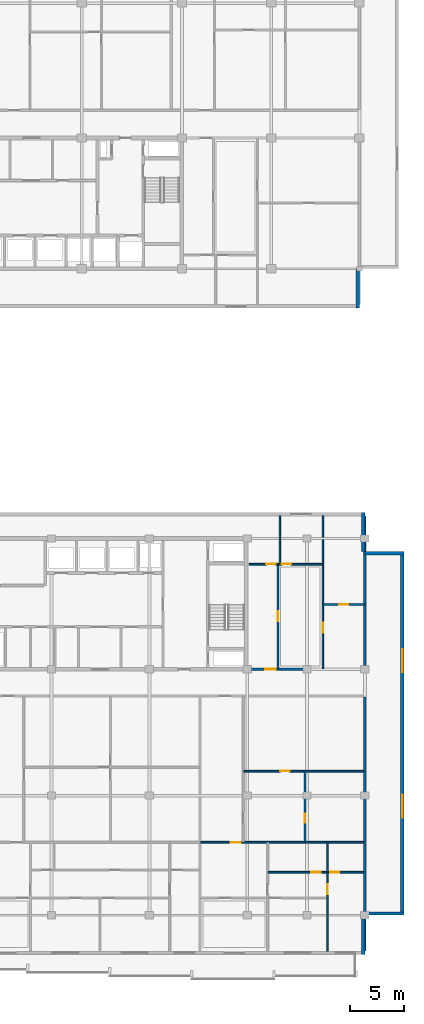
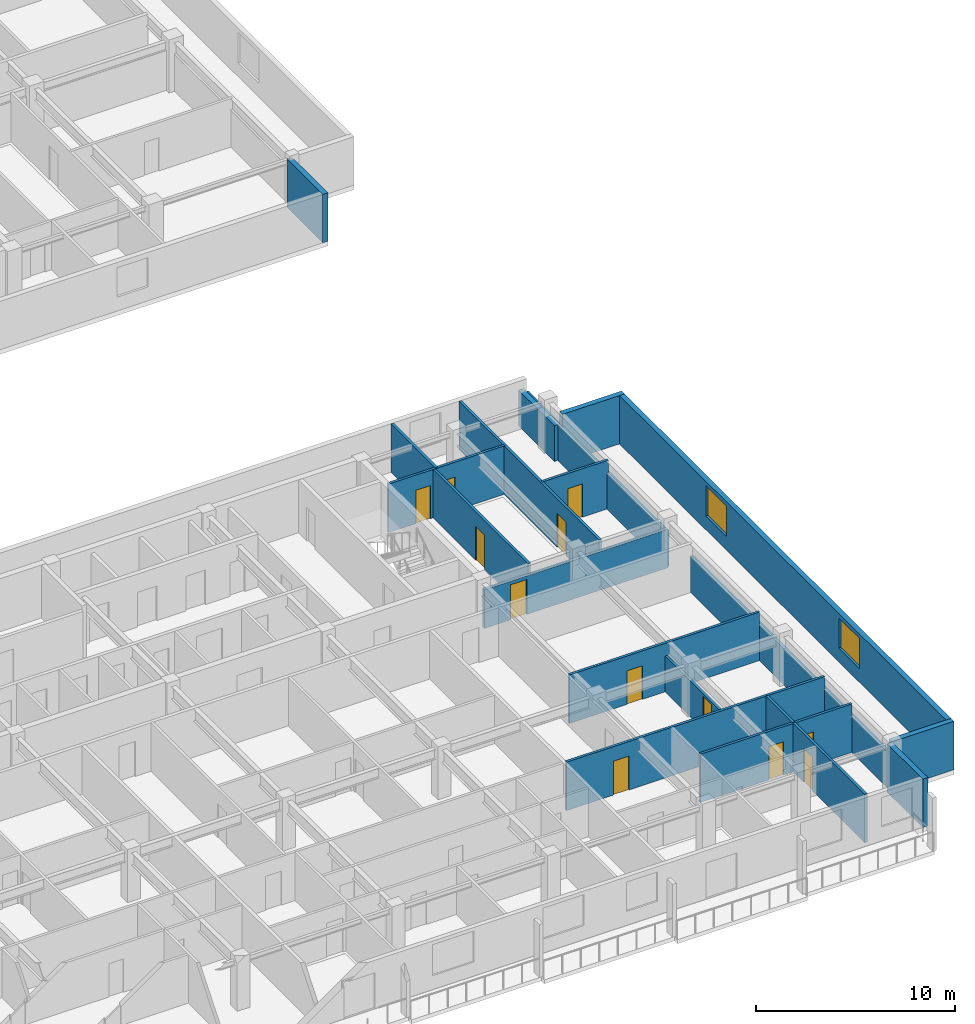
# One storey, part 10 of 24: 20 walls, 12 doors, 2 windows, 14 openings.
"""IFC4 building model written with IfcOpenShell, lengths in metres."""

from ifc_helpers import new_model, si_unit, direction, frame, frame_2d, origin, place, context, subcontext, project, spatial, rectangle, extrude, material, layer, layer_set, type_object, element, fill, save


model = new_model("IFC4")

# Units and contexts
model_context = context("Model", 3, precision=1e-05, world=origin(), true_north=direction((0.0, 1.0)))
body_context = subcontext(model_context, "Body", "Model", "MODEL_VIEW")
ifc_project = project(units=[si_unit("LENGTHUNIT", "METRE"), si_unit("AREAUNIT", "SQUARE_METRE"), si_unit("VOLUMEUNIT", "CUBIC_METRE"), si_unit("PLANEANGLEUNIT", "RADIAN"), si_unit("MASSUNIT", "GRAM", prefix="KILO")], contexts=[model_context])

# Site, building, storey
site_placement = place(None, origin())
site = spatial("IfcSite", under=ifc_project, at=site_placement, CompositionType="ELEMENT")
building_placement = place(site_placement, origin())
building = spatial("IfcBuilding", under=site, at=building_placement, Name="Korimba Cascade Residences", CompositionType="ELEMENT")
storey_placement = place(building_placement, frame((0.0, 0.0, 168.60009765625)))
storey = spatial("IfcBuildingStorey", under=building, at=storey_placement, Name="L48", CompositionType="ELEMENT", Elevation=168.60009765625)

# Walls
ifc_material_1 = material(Name="Precast concrete C40/50", Category="concrete")
ifc_layer_1 = layer(ifc_material_1, 0.300048828125)
ifc_layer_set_1 = layer_set([ifc_layer_1], Name="Precast concrete C40/50")
wall_type_1 = type_object("IfcWallType", Name="EW-STONE-300", PredefinedType="STANDARD", material=ifc_layer_set_1)
wall_1_placement = place(storey_placement, frame((128.25, 51.60009765625, 0.0), z_axis=(0.0, 0.0, 1.0), x_axis=(0.0, 1.0, 0.0)))
element("IfcWall", 1, at=wall_1_placement, inside=storey, type_object=wall_type_1, Name="L48 T1 Perimeter Stone Wall E01", PredefinedType="STANDARD", context=body_context, shape_type="SweptSolid", body=[
    extrude(rectangle(XDim=3.599853515625, YDim=0.300048828125, at=frame_2d((1.7998046875, 0.0))), origin(), (0.0, 0.0, 1.0), 2.969970703125),
])
for number, where, z_axis, x_axis, name in (
    (2, (128.75, -7.800048828125, 0.0), (0.0, 0.0, 1.0), (0.0, 1.0, 0.0), "L48 T2 Perimeter Stone Wall E01"),
    (3, (128.89990234375, -4.050048828125, 0.0), (0.0, 0.0, 1.0), (1.0, 0.0, 0.0), "L48 T2 Perimeter Stone Wall E02"),
):
    element("IfcWall", number, at=place(storey_placement, frame(where, z_axis=z_axis, x_axis=x_axis)), inside=storey, type_object=wall_type_1, Name=name, PredefinedType="STANDARD", context=body_context, shape_type="SweptSolid", body=[
        extrude(rectangle(XDim=3.60009765625, YDim=0.300048828125, at=frame_2d((1.800048828125, 0.0))), origin(), (0.0, 0.0, 1.0), 2.969970703125),
    ])

# Wall, openings, windows
wall_2_placement = place(storey_placement, frame((132.35009765625, -4.199951171875, 0.0), z_axis=(0.0, 0.0, 1.0), x_axis=(0.0, 1.0, 0.0)))
wall_2 = element("IfcWall", 4, at=wall_2_placement, inside=storey, type_object=wall_type_1, Name="L48 T2 Perimeter Stone Wall E03", PredefinedType="STANDARD", context=body_context, shape_type="SweptSolid", body=[
    extrude(rectangle(XDim=33.39990234375, YDim=0.300048828125, at=frame_2d((16.699951171875, 0.0))), origin(), (0.0, 0.0, 1.0), 2.969970703125),
])
opening_1_placement = place(wall_2_placement, frame((8.969970703125, 0.0, 0.85009765625)))
opening_1 = element("IfcOpeningElement", 5, at=opening_1_placement, cuts=wall_2, Name="Opening W-03", PredefinedType="OPENING", context=body_context, shape_type="SweptSolid", body=[
    extrude(rectangle(XDim=2.10009765625, YDim=1.85009765625, at=frame_2d((1.050048828125, 0.925048828125))), frame((0.0, 0.16015625, 0.0), z_axis=(0.0, -1.0, 0.0), x_axis=(1.0, 0.0, 0.0)), (0.0, 0.0, 1.0), 0.320068359375),
])
opening_2_placement = place(wall_2_placement, frame((22.330078125, 0.0, 0.85009765625)))
opening_2 = element("IfcOpeningElement", 6, at=opening_2_placement, cuts=wall_2, Name="Opening W-03", PredefinedType="OPENING", context=body_context, shape_type="SweptSolid", body=[
    extrude(rectangle(XDim=2.10009765625, YDim=1.85009765625, at=frame_2d((1.050048828125, 0.925048828125))), frame((0.0, 0.16015625, 0.0), z_axis=(0.0, -1.0, 0.0), x_axis=(1.0, 0.0, 0.0)), (0.0, 0.0, 1.0), 0.320068359375),
])
ifc_material_2 = material(Name="Double-Glazed Aluminium Window", Category="aluminium")
window_type = type_object("IfcWindowType", Name="WIN-CRN-2100", PartitioningType="DOUBLE_PANEL_HORIZONTAL", PredefinedType="WINDOW", material=ifc_material_2)
window_1_placement = place(opening_1_placement, origin())
window_1 = element("IfcWindow", 7, at=window_1_placement, inside=storey, type_object=window_type, Name="L48 T2 End View Window 3.1", OverallHeight=1.85009765625, OverallWidth=2.10009765625, PartitioningType="DOUBLE_PANEL_HORIZONTAL", PredefinedType="WINDOW", context=body_context, shape_type="SweptSolid", body=[
    extrude(rectangle(XDim=2.10009765625, YDim=1.85009765625, at=frame_2d((1.050048828125, 0.925048828125))), frame((0.0, 0.030029296875, 0.0), z_axis=(0.0, -1.0, 0.0), x_axis=(1.0, 0.0, 0.0)), (0.0, 0.0, 1.0), 0.06005859375),
])
fill(opening_1, window_1)
window_2_placement = place(opening_2_placement, origin())
window_2 = element("IfcWindow", 8, at=window_2_placement, inside=storey, type_object=window_type, Name="L48 T2 End View Window 3.2", OverallHeight=1.85009765625, OverallWidth=2.10009765625, PartitioningType="DOUBLE_PANEL_HORIZONTAL", PredefinedType="WINDOW", context=body_context, shape_type="SweptSolid", body=[
    extrude(rectangle(XDim=2.10009765625, YDim=1.85009765625, at=frame_2d((1.050048828125, 0.925048828125))), frame((0.0, 0.030029296875, 0.0), z_axis=(0.0, -1.0, 0.0), x_axis=(1.0, 0.0, 0.0)), (0.0, 0.0, 1.0), 0.06005859375),
])
fill(opening_2, window_2)

# Walls
wall_3_placement = place(storey_placement, frame((132.5, 29.050048828125, 0.0), z_axis=(0.0, 0.0, 1.0), x_axis=(-1.0, 0.0, 0.0)))
element("IfcWall", 9, at=wall_3_placement, inside=storey, type_object=wall_type_1, Name="L48 T2 Perimeter Stone Wall E04", PredefinedType="STANDARD", context=body_context, shape_type="SweptSolid", body=[
    extrude(rectangle(XDim=3.60009765625, YDim=0.300048828125, at=frame_2d((1.800048828125, 0.0))), origin(), (0.0, 0.0, 1.0), 2.969970703125),
])
wall_4_placement = place(storey_placement, frame((128.75, 29.199951171875, 0.0), z_axis=(0.0, 0.0, 1.0), x_axis=(0.0, 1.0, 0.0)))
element("IfcWall", 10, at=wall_4_placement, inside=storey, type_object=wall_type_1, Name="L48 T2 Perimeter Stone Wall E05", PredefinedType="STANDARD", context=body_context, shape_type="SweptSolid", body=[
    extrude(rectangle(XDim=3.60009765625, YDim=0.300048828125, at=frame_2d((1.800048828125, 0.0))), origin(), (0.0, 0.0, 1.0), 2.2001953125),
])
ifc_layer_2 = layer(ifc_material_1, 0.199951171875)
ifc_layer_set_2 = layer_set([ifc_layer_2], Name="Precast concrete C40/50")
wall_type_2 = type_object("IfcWallType", Name="WAL-IT-200", PredefinedType="PARTITIONING", material=ifc_layer_set_2)
wall_5_placement = place(storey_placement, frame((128.89990234375, 18.39990234375, 0.0), z_axis=(0.0, 0.0, 1.0), x_axis=(0.0, 1.0, 0.0)))
element("IfcWall", 11, at=wall_5_placement, inside=storey, type_object=wall_type_2, Name="L48 Partition Wall WAL-L48-T2-FE-WR", PredefinedType="PARTITIONING", context=body_context, shape_type="SweptSolid", body=[
    extrude(rectangle(XDim=14.10009765625, YDim=0.199951171875, at=frame_2d((7.050048828125, 0.0))), origin(), (0.0, 0.0, 1.0), 2.2001953125),
])

# Wall, opening, door
wall_6_placement = place(storey_placement, frame((118.25, 18.39990234375, 0.0), z_axis=(0.0, 0.0, 1.0), x_axis=(1.0, 0.0, 0.0)))
wall_6 = element("IfcWall", 12, at=wall_6_placement, inside=storey, type_object=wall_type_2, Name="L48 Partition Wall WAL-L48-T2-FE-S", PredefinedType="PARTITIONING", context=body_context, shape_type="SweptSolid", body=[
    extrude(rectangle(XDim=10.64990234375, YDim=0.199951171875, at=frame_2d((5.324951171875, 0.0))), origin(), (0.0, 0.0, 1.0), 2.357666015625),
])
opening_3_placement = place(wall_6_placement, frame((1.510009765625, 0.0, 0.0)))
opening_3 = element("IfcOpeningElement", 13, at=opening_3_placement, cuts=wall_6, Name="Opening D-UN1", PredefinedType="OPENING", context=body_context, shape_type="SweptSolid", body=[
    extrude(rectangle(XDim=0.949951171875, YDim=2.14990234375, at=frame_2d((0.47509765625, 1.074951171875))), frame((0.0, 0.10986328125, 0.0), z_axis=(0.0, -1.0, 0.0), x_axis=(1.0, 0.0, 0.0)), (0.0, 0.0, 1.0), 0.219970703125),
])
ifc_material_3 = material(Name="Fire-Rated Hardwood Apartment Entrance Door", Category="wood")
door_type_1 = type_object("IfcDoorType", Name="DR-FD60-950", OperationType="NOTDEFINED", PredefinedType="DOOR", material=ifc_material_3)
door_1_placement = place(opening_3_placement, origin())
door_1 = element("IfcDoor", 14, at=door_1_placement, inside=storey, type_object=door_type_1, Name="L48-T2-FE Entrance Door", OperationType="SINGLE_SWING_LEFT", OverallHeight=2.14990234375, OverallWidth=0.949951171875, PredefinedType="DOOR", context=body_context, shape_type="SweptSolid", body=[
    extrude(rectangle(XDim=0.949951171875, YDim=2.14990234375, at=frame_2d((0.47509765625, 1.074951171875))), frame((0.0, 0.02490234375, 0.0), z_axis=(0.0, -1.0, 0.0), x_axis=(1.0, 0.0, 0.0)), (0.0, 0.0, 1.0), 0.050048828125),
])
fill(opening_3, door_1)

# Wall
wall_7_placement = place(storey_placement, frame((128.89990234375, -7.5, 0.0), z_axis=(0.0, 0.0, 1.0), x_axis=(0.0, 1.0, 0.0)))
element("IfcWall", 15, at=wall_7_placement, inside=storey, type_object=wall_type_2, Name="L48 Partition Wall WAL-L48-T2-BNDWR", PredefinedType="PARTITIONING", context=body_context, shape_type="SweptSolid", body=[
    extrude(rectangle(XDim=23.3701171875, YDim=0.199951171875, at=frame_2d((11.68505859375, 0.0))), origin(), (0.0, 0.0, 1.0), 2.2001953125),
])

# Wall, opening, door
ifc_material_4 = material(Name="Insulated Acoustic Stud Partition", Category="gypsum")
ifc_layer_3 = layer(ifc_material_4, 0.14990234375)
ifc_layer_set_3 = layer_set([ifc_layer_3], Name="Insulated Acoustic Stud Partition")
wall_type_3 = type_object("IfcWallType", Name="WAL-PART-150", PredefinedType="PARTITIONING", material=ifc_layer_set_3)
wall_8_placement = place(storey_placement, frame((125.050048828125, 24.35009765625, 0.0), z_axis=(0.0, 0.0, 1.0), x_axis=(1.0, 0.0, 0.0)))
wall_8 = element("IfcWall", 16, at=wall_8_placement, inside=storey, type_object=wall_type_3, Name="L48 Partition Wall WAL-L48-T2-FE-STH", PredefinedType="PARTITIONING", context=body_context, shape_type="SweptSolid", body=[
    extrude(rectangle(XDim=3.849853515625, YDim=0.14990234375, at=frame_2d((1.9248046875, 0.0))), origin(), (0.0, 0.0, 1.0), 2.969970703125),
])
opening_4_placement = place(wall_8_placement, frame((1.5048828125, 0.0, 0.0)))
opening_4 = element("IfcOpeningElement", 17, at=opening_4_placement, cuts=wall_8, Name="Opening D-BT1", PredefinedType="OPENING", context=body_context, shape_type="SweptSolid", body=[
    extrude(rectangle(XDim=0.840087890625, YDim=2.0400390625, at=frame_2d((0.419921875, 1.02001953125))), frame((0.0, 0.0849609375, 0.0), z_axis=(0.0, -1.0, 0.0), x_axis=(1.0, 0.0, 0.0)), (0.0, 0.0, 1.0), 0.169921875),
])
ifc_material_5 = material(Name="Moisture-Resistant Bathroom Timber Door", Category="wood")
door_type_2 = type_object("IfcDoorType", Name="DR-INT-850", OperationType="NOTDEFINED", PredefinedType="DOOR", material=ifc_material_5)
door_2_placement = place(opening_4_placement, origin())
door_2 = element("IfcDoor", 18, at=door_2_placement, inside=storey, type_object=door_type_2, Name="L48-T2-FE Dressing Store Door", OperationType="SINGLE_SWING_RIGHT", OverallHeight=2.0400390625, OverallWidth=0.840087890625, PredefinedType="DOOR", context=body_context, shape_type="SweptSolid", body=[
    extrude(rectangle(XDim=0.840087890625, YDim=2.0400390625, at=frame_2d((0.419921875, 1.02001953125))), frame((0.0, 0.02490234375, 0.0), z_axis=(0.0, -1.0, 0.0), x_axis=(1.0, 0.0, 0.0)), (0.0, 0.0, 1.0), 0.050048828125),
])
fill(opening_4, door_2)

wall_9_placement = place(storey_placement, frame((125.050048828125, 18.449951171875, 0.0), z_axis=(0.0, 0.0, 1.0), x_axis=(0.0, 1.0, 0.0)))
wall_9 = element("IfcWall", 19, at=wall_9_placement, inside=storey, type_object=wall_type_3, Name="L48 Partition Wall WAL-L48-T2-FE-STV", PredefinedType="PARTITIONING", context=body_context, shape_type="SweptSolid", body=[
    extrude(rectangle(XDim=14.050048828125, YDim=0.14990234375, at=frame_2d((7.02490234375, 0.0))), origin(), (0.0, 0.0, 1.0), 2.969970703125),
])
opening_5_placement = place(wall_9_placement, frame((3.320068359375, 0.0, 0.0)))
opening_5 = element("IfcOpeningElement", 20, at=opening_5_placement, cuts=wall_9, Name="Opening D-IN2", PredefinedType="OPENING", context=body_context, shape_type="SweptSolid", body=[
    extrude(rectangle(XDim=0.8798828125, YDim=2.06005859375, at=frame_2d((0.43994140625, 1.030029296875))), frame((0.0, 0.0849609375, 0.0), z_axis=(0.0, -1.0, 0.0), x_axis=(1.0, 0.0, 0.0)), (0.0, 0.0, 1.0), 0.169921875),
])
ifc_material_6 = material(Name="Acoustic Timber Bedroom Door", Category="wood")
door_type_3 = type_object("IfcDoorType", Name="DR-INT-880", OperationType="NOTDEFINED", PredefinedType="DOOR", material=ifc_material_6)
door_3_placement = place(opening_5_placement, origin())
door_3 = element("IfcDoor", 21, at=door_3_placement, inside=storey, type_object=door_type_3, Name="L48-T2-FE Study Door", OperationType="SINGLE_SWING_LEFT", OverallHeight=2.06005859375, OverallWidth=0.8798828125, PredefinedType="DOOR", context=body_context, shape_type="SweptSolid", body=[
    extrude(rectangle(XDim=0.8798828125, YDim=2.06005859375, at=frame_2d((0.43994140625, 1.030029296875))), frame((0.0, 0.02490234375, 0.0), z_axis=(0.0, -1.0, 0.0), x_axis=(1.0, 0.0, 0.0)), (0.0, 0.0, 1.0), 0.050048828125),
])
fill(opening_5, door_3)

wall_10_placement = place(storey_placement, frame((120.929931640625, 18.449951171875, 0.0), z_axis=(0.0, 0.0, 1.0), x_axis=(0.0, 1.0, 0.0)))
wall_10 = element("IfcWall", 22, at=wall_10_placement, inside=storey, type_object=wall_type_3, Name="L48 Partition Wall WAL-L48-T2-FE-VS", PredefinedType="PARTITIONING", context=body_context, shape_type="SweptSolid", body=[
    extrude(rectangle(XDim=9.60009765625, YDim=0.14990234375, at=frame_2d((4.800048828125, 0.0))), origin(), (0.0, 0.0, 1.0), 2.969970703125),
])
opening_6_placement = place(wall_10_placement, frame((4.340087890625, 0.0, 0.0)))
opening_6 = element("IfcOpeningElement", 23, at=opening_6_placement, cuts=wall_10, Name="Opening D-IN1", PredefinedType="OPENING", context=body_context, shape_type="SweptSolid", body=[
    extrude(rectangle(XDim=0.919921875, YDim=2.080078125, at=frame_2d((0.4599609375, 1.0400390625))), frame((0.0, 0.0849609375, 0.0), z_axis=(0.0, -1.0, 0.0), x_axis=(1.0, 0.0, 0.0)), (0.0, 0.0, 1.0), 0.169921875),
])
ifc_material_7 = material(Name="Acoustic Timber Living Door", Category="wood")
door_type_4 = type_object("IfcDoorType", Name="DR-INT-920", OperationType="NOTDEFINED", PredefinedType="DOOR", material=ifc_material_7)
door_4_placement = place(opening_6_placement, origin())
door_4 = element("IfcDoor", 24, at=door_4_placement, inside=storey, type_object=door_type_4, Name="L48-T2-FE Living Door", OperationType="SINGLE_SWING_RIGHT", OverallHeight=2.080078125, OverallWidth=0.919921875, PredefinedType="DOOR", context=body_context, shape_type="SweptSolid", body=[
    extrude(rectangle(XDim=0.919921875, YDim=2.080078125, at=frame_2d((0.4599609375, 1.0400390625))), frame((0.0, 0.02490234375, 0.0), z_axis=(0.0, -1.0, 0.0), x_axis=(1.0, 0.0, 0.0)), (0.0, 0.0, 1.0), 0.050048828125),
])
fill(opening_6, door_4)

# Wall
wall_11_placement = place(storey_placement, frame((121.10009765625, 28.050048828125, 0.0), z_axis=(0.0, 0.0, 1.0), x_axis=(0.0, 1.0, 0.0)))
element("IfcWall", 25, at=wall_11_placement, inside=storey, type_object=wall_type_3, Name="L48 Partition Wall WAL-L48-T2-FE-VN", PredefinedType="PARTITIONING", context=body_context, shape_type="SweptSolid", body=[
    extrude(rectangle(XDim=4.449951171875, YDim=0.14990234375, at=frame_2d((2.22509765625, 0.0))), origin(), (0.0, 0.0, 1.0), 2.969970703125),
])

# Wall, openings, doors
wall_12_placement = place(storey_placement, frame((118.27001953125, 28.050048828125, 0.0), z_axis=(0.0, 0.0, 1.0), x_axis=(1.0, 0.0, 0.0)))
wall_12 = element("IfcWall", 26, at=wall_12_placement, inside=storey, type_object=wall_type_3, Name="L48 Partition Wall WAL-L48-T2-FE-H", PredefinedType="PARTITIONING", context=body_context, shape_type="SweptSolid", body=[
    extrude(rectangle(XDim=6.760009765625, YDim=0.14990234375, at=frame_2d((3.3798828125, 0.0))), origin(), (0.0, 0.0, 1.0), 2.969970703125),
])
opening_7_placement = place(wall_12_placement, frame((1.58740234375, 0.0, 0.0)))
opening_7 = element("IfcOpeningElement", 27, at=opening_7_placement, cuts=wall_12, Name="Opening D-BT1", PredefinedType="OPENING", context=body_context, shape_type="SweptSolid", body=[
    extrude(rectangle(XDim=0.840087890625, YDim=2.0400390625, at=frame_2d((0.419921875, 1.02001953125))), frame((0.0, 0.0849609375, 0.0), z_axis=(0.0, -1.0, 0.0), x_axis=(1.0, 0.0, 0.0)), (0.0, 0.0, 1.0), 0.169921875),
])
opening_8_placement = place(wall_12_placement, frame((2.988037109375, 0.0, 0.0)))
opening_8 = element("IfcOpeningElement", 28, at=opening_8_placement, cuts=wall_12, Name="Opening D-IN2", PredefinedType="OPENING", context=body_context, shape_type="SweptSolid", body=[
    extrude(rectangle(XDim=0.8798828125, YDim=2.06005859375, at=frame_2d((0.43994140625, 1.030029296875))), frame((0.0, 0.0849609375, 0.0), z_axis=(0.0, -1.0, 0.0), x_axis=(1.0, 0.0, 0.0)), (0.0, 0.0, 1.0), 0.169921875),
])
door_5_placement = place(opening_7_placement, origin())
door_5 = element("IfcDoor", 29, at=door_5_placement, inside=storey, type_object=door_type_2, Name="L48-T2-FE Bathroom Door", OperationType="SINGLE_SWING_LEFT", OverallHeight=2.0400390625, OverallWidth=0.840087890625, PredefinedType="DOOR", context=body_context, shape_type="SweptSolid", body=[
    extrude(rectangle(XDim=0.840087890625, YDim=2.0400390625, at=frame_2d((0.419921875, 1.02001953125))), frame((0.0, 0.02490234375, 0.0), z_axis=(0.0, -1.0, 0.0), x_axis=(1.0, 0.0, 0.0)), (0.0, 0.0, 1.0), 0.050048828125),
])
fill(opening_7, door_5)
door_6_placement = place(opening_8_placement, origin())
door_6 = element("IfcDoor", 30, at=door_6_placement, inside=storey, type_object=door_type_3, Name="L48-T2-FE Bedroom Door", OperationType="SINGLE_SWING_RIGHT", OverallHeight=2.06005859375, OverallWidth=0.8798828125, PredefinedType="DOOR", context=body_context, shape_type="SweptSolid", body=[
    extrude(rectangle(XDim=0.8798828125, YDim=2.06005859375, at=frame_2d((0.43994140625, 1.030029296875))), frame((0.0, 0.02490234375, 0.0), z_axis=(0.0, -1.0, 0.0), x_axis=(1.0, 0.0, 0.0)), (0.0, 0.0, 1.0), 0.050048828125),
])
fill(opening_8, door_6)

# Wall, opening, door
wall_13_placement = place(storey_placement, frame((123.4052734375, 2.5400390625, 0.0), z_axis=(0.0, 0.0, 1.0), x_axis=(0.0, 1.0, 0.0)))
wall_13 = element("IfcWall", 31, at=wall_13_placement, inside=storey, type_object=wall_type_3, Name="L48 Partition Wall WAL-L48-T2-U03-FMV", PredefinedType="PARTITIONING", context=body_context, shape_type="SweptSolid", body=[
    extrude(rectangle(XDim=6.494873046875, YDim=0.14990234375, at=frame_2d((3.24755859375, 0.0))), origin(), (0.0, 0.0, 1.0), 2.2001953125),
])
opening_9_placement = place(wall_13_placement, frame((1.765380859375, 0.0, 0.0)))
opening_9 = element("IfcOpeningElement", 32, at=opening_9_placement, cuts=wall_13, Name="Opening D-BT1", PredefinedType="OPENING", context=body_context, shape_type="SweptSolid", body=[
    extrude(rectangle(XDim=0.840087890625, YDim=2.0400390625, at=frame_2d((0.419921875, 1.02001953125))), frame((0.0, 0.0849609375, 0.0), z_axis=(0.0, -1.0, 0.0), x_axis=(1.0, 0.0, 0.0)), (0.0, 0.0, 1.0), 0.169921875),
])
door_7_placement = place(opening_9_placement, origin())
door_7 = element("IfcDoor", 33, at=door_7_placement, inside=storey, type_object=door_type_2, Name="L48-T2-U03 Wardrobe Door", OperationType="SINGLE_SWING_RIGHT", OverallHeight=2.0400390625, OverallWidth=0.840087890625, PredefinedType="DOOR", context=body_context, shape_type="SweptSolid", body=[
    extrude(rectangle(XDim=0.840087890625, YDim=2.0400390625, at=frame_2d((0.419921875, 1.02001953125))), frame((0.0, 0.02490234375, 0.0), z_axis=(0.0, -1.0, 0.0), x_axis=(1.0, 0.0, 0.0)), (0.0, 0.0, 1.0), 0.050048828125),
])
fill(opening_9, door_7)

wall_14_placement = place(storey_placement, frame((117.790283203125, 9.034912109375, 0.0), z_axis=(0.0, 0.0, 1.0), x_axis=(1.0, 0.0, 0.0)))
wall_14 = element("IfcWall", 34, at=wall_14_placement, inside=storey, type_object=wall_type_3, Name="L48 Partition Wall WAL-L48-T2-U03-FMH", PredefinedType="PARTITIONING", context=body_context, shape_type="SweptSolid", body=[
    extrude(rectangle(XDim=11.02978515625, YDim=0.14990234375, at=frame_2d((5.514892578125, 0.0))), origin(), (0.0, 0.0, 1.0), 2.969970703125),
])
opening_10_placement = place(wall_14_placement, frame((3.3486328125, 0.0, 0.0)))
opening_10 = element("IfcOpeningElement", 35, at=opening_10_placement, cuts=wall_14, Name="Opening D-IN2", PredefinedType="OPENING", context=body_context, shape_type="SweptSolid", body=[
    extrude(rectangle(XDim=0.8798828125, YDim=2.06005859375, at=frame_2d((0.43994140625, 1.030029296875))), frame((0.0, 0.0849609375, 0.0), z_axis=(0.0, -1.0, 0.0), x_axis=(1.0, 0.0, 0.0)), (0.0, 0.0, 1.0), 0.169921875),
])
door_8_placement = place(opening_10_placement, origin())
door_8 = element("IfcDoor", 36, at=door_8_placement, inside=storey, type_object=door_type_3, Name="L48-T2-U03 Library Salon Door", OperationType="SINGLE_SWING_LEFT", OverallHeight=2.06005859375, OverallWidth=0.8798828125, PredefinedType="DOOR", context=body_context, shape_type="SweptSolid", body=[
    extrude(rectangle(XDim=0.8798828125, YDim=2.06005859375, at=frame_2d((0.43994140625, 1.030029296875))), frame((0.0, 0.02490234375, 0.0), z_axis=(0.0, -1.0, 0.0), x_axis=(1.0, 0.0, 0.0)), (0.0, 0.0, 1.0), 0.050048828125),
])
fill(opening_10, door_8)

# Wall
wall_15_placement = place(storey_placement, frame((125.47998046875, -0.22998046875, 0.0), z_axis=(0.0, 0.0, 1.0), x_axis=(0.0, 1.0, 0.0)))
element("IfcWall", 37, at=wall_15_placement, inside=storey, type_object=wall_type_3, Name="L48 Partition Wall WAL-L48-T2-U03-VBATH", PredefinedType="PARTITIONING", context=body_context, shape_type="SweptSolid", body=[
    extrude(rectangle(XDim=2.68994140625, YDim=0.14990234375, at=frame_2d((1.344970703125, 0.0))), origin(), (0.0, 0.0, 1.0), 2.969970703125),
])

# Wall, opening, door
wall_16_placement = place(storey_placement, frame((125.47998046875, -7.5, 0.0), z_axis=(0.0, 0.0, 1.0), x_axis=(0.0, 1.0, 0.0)))
wall_16 = element("IfcWall", 38, at=wall_16_placement, inside=storey, type_object=wall_type_3, Name="L48 Partition Wall WAL-L48-T2-U03-V2FULL", PredefinedType="PARTITIONING", context=body_context, shape_type="SweptSolid", body=[
    extrude(rectangle(XDim=7.22998046875, YDim=0.14990234375, at=frame_2d((3.614990234375, 0.0))), origin(), (0.0, 0.0, 1.0), 2.969970703125),
])
opening_11_placement = place(wall_16_placement, frame((5.219970703125, 0.0, 0.0)))
opening_11 = element("IfcOpeningElement", 39, at=opening_11_placement, cuts=wall_16, Name="Opening D-IN1", PredefinedType="OPENING", context=body_context, shape_type="SweptSolid", body=[
    extrude(rectangle(XDim=0.919921875, YDim=2.080078125, at=frame_2d((0.4599609375, 1.0400390625))), frame((0.0, 0.0849609375, 0.0), z_axis=(0.0, -1.0, 0.0), x_axis=(1.0, 0.0, 0.0)), (0.0, 0.0, 1.0), 0.169921875),
])
door_9_placement = place(opening_11_placement, origin())
door_9 = element("IfcDoor", 40, at=door_9_placement, inside=storey, type_object=door_type_4, Name="L48-T2-U03 Master Bedroom Door", OperationType="SINGLE_SWING_RIGHT", OverallHeight=2.080078125, OverallWidth=0.919921875, PredefinedType="DOOR", context=body_context, shape_type="SweptSolid", body=[
    extrude(rectangle(XDim=0.919921875, YDim=2.080078125, at=frame_2d((0.4599609375, 1.0400390625))), frame((0.0, 0.02490234375, 0.0), z_axis=(0.0, -1.0, 0.0), x_axis=(1.0, 0.0, 0.0)), (0.0, 0.0, 1.0), 0.050048828125),
])
fill(opening_11, door_9)

# Wall, openings, doors
wall_17_placement = place(storey_placement, frame((120.02001953125, -0.25, 0.0), z_axis=(0.0, 0.0, 1.0), x_axis=(1.0, 0.0, 0.0)))
wall_17 = element("IfcWall", 41, at=wall_17_placement, inside=storey, type_object=wall_type_3, Name="L48 Partition Wall WAL-L48-T2-U03-HWALL", PredefinedType="PARTITIONING", context=body_context, shape_type="SweptSolid", body=[
    extrude(rectangle(XDim=8.800048828125, YDim=0.14990234375, at=frame_2d((4.39990234375, 0.0))), origin(), (0.0, 0.0, 1.0), 2.969970703125),
])
opening_12_placement = place(wall_17_placement, frame((3.97998046875, 0.0, 0.0)))
opening_12 = element("IfcOpeningElement", 42, at=opening_12_placement, cuts=wall_17, Name="Opening D-BT1", PredefinedType="OPENING", context=body_context, shape_type="SweptSolid", body=[
    extrude(rectangle(XDim=0.840087890625, YDim=2.0400390625, at=frame_2d((0.419921875, 1.02001953125))), frame((0.0, 0.0849609375, 0.0), z_axis=(0.0, -1.0, 0.0), x_axis=(1.0, 0.0, 0.0)), (0.0, 0.0, 1.0), 0.169921875),
])
opening_13_placement = place(wall_17_placement, frame((5.7099609375, 0.0, 0.0)))
opening_13 = element("IfcOpeningElement", 43, at=opening_13_placement, cuts=wall_17, Name="Opening D-BT1", PredefinedType="OPENING", context=body_context, shape_type="SweptSolid", body=[
    extrude(rectangle(XDim=0.840087890625, YDim=2.0400390625, at=frame_2d((0.419921875, 1.02001953125))), frame((0.0, 0.0849609375, 0.0), z_axis=(0.0, -1.0, 0.0), x_axis=(1.0, 0.0, 0.0)), (0.0, 0.0, 1.0), 0.169921875),
])
door_10_placement = place(opening_12_placement, origin())
door_10 = element("IfcDoor", 44, at=door_10_placement, inside=storey, type_object=door_type_2, Name="L48-T2-U03 Family Bathroom Door", OperationType="SINGLE_SWING_LEFT", OverallHeight=2.0400390625, OverallWidth=0.840087890625, PredefinedType="DOOR", context=body_context, shape_type="SweptSolid", body=[
    extrude(rectangle(XDim=0.840087890625, YDim=2.0400390625, at=frame_2d((0.419921875, 1.02001953125))), frame((0.0, 0.02490234375, 0.0), z_axis=(0.0, -1.0, 0.0), x_axis=(1.0, 0.0, 0.0)), (0.0, 0.0, 1.0), 0.050048828125),
])
fill(opening_12, door_10)
door_11_placement = place(opening_13_placement, origin())
door_11 = element("IfcDoor", 45, at=door_11_placement, inside=storey, type_object=door_type_2, Name="L48-T2-U03 En-Suite Door", OperationType="SINGLE_SWING_RIGHT", OverallHeight=2.0400390625, OverallWidth=0.840087890625, PredefinedType="DOOR", context=body_context, shape_type="SweptSolid", body=[
    extrude(rectangle(XDim=0.840087890625, YDim=2.0400390625, at=frame_2d((0.419921875, 1.02001953125))), frame((0.0, 0.02490234375, 0.0), z_axis=(0.0, -1.0, 0.0), x_axis=(1.0, 0.0, 0.0)), (0.0, 0.0, 1.0), 0.050048828125),
])
fill(opening_13, door_11)

# Wall, opening, door
wall_18_placement = place(storey_placement, frame((113.84033203125, 2.5, 0.0), z_axis=(0.0, 0.0, 1.0), x_axis=(1.0, 0.0, 0.0)))
wall_18 = element("IfcWall", 46, at=wall_18_placement, inside=storey, type_object=wall_type_3, Name="L48 Partition Wall WAL-L48-T2-U03-MW", PredefinedType="PARTITIONING", context=body_context, shape_type="SweptSolid", body=[
    extrude(rectangle(XDim=14.979736328125, YDim=0.14990234375, at=frame_2d((7.48974609375, 0.0))), origin(), (0.0, 0.0, 1.0), 2.969970703125),
])
opening_14_placement = place(wall_18_placement, frame((2.719970703125, 0.0, 0.0)))
opening_14 = element("IfcOpeningElement", 47, at=opening_14_placement, cuts=wall_18, Name="Opening D-IN1", PredefinedType="OPENING", context=body_context, shape_type="SweptSolid", body=[
    extrude(rectangle(XDim=0.919921875, YDim=2.080078125, at=frame_2d((0.4599609375, 1.0400390625))), frame((0.0, 0.0849609375, 0.0), z_axis=(0.0, -1.0, 0.0), x_axis=(1.0, 0.0, 0.0)), (0.0, 0.0, 1.0), 0.169921875),
])
door_12_placement = place(opening_14_placement, origin())
door_12 = element("IfcDoor", 48, at=door_12_placement, inside=storey, type_object=door_type_4, Name="L48-T2-U03 Kitchen Door", OperationType="SINGLE_SWING_LEFT", OverallHeight=2.080078125, OverallWidth=0.919921875, PredefinedType="DOOR", context=body_context, shape_type="SweptSolid", body=[
    extrude(rectangle(XDim=0.919921875, YDim=2.080078125, at=frame_2d((0.4599609375, 1.0400390625))), frame((0.0, 0.02490234375, 0.0), z_axis=(0.0, -1.0, 0.0), x_axis=(1.0, 0.0, 0.0)), (0.0, 0.0, 1.0), 0.050048828125),
])
fill(opening_14, door_12)

save(model, "model.ifc")
